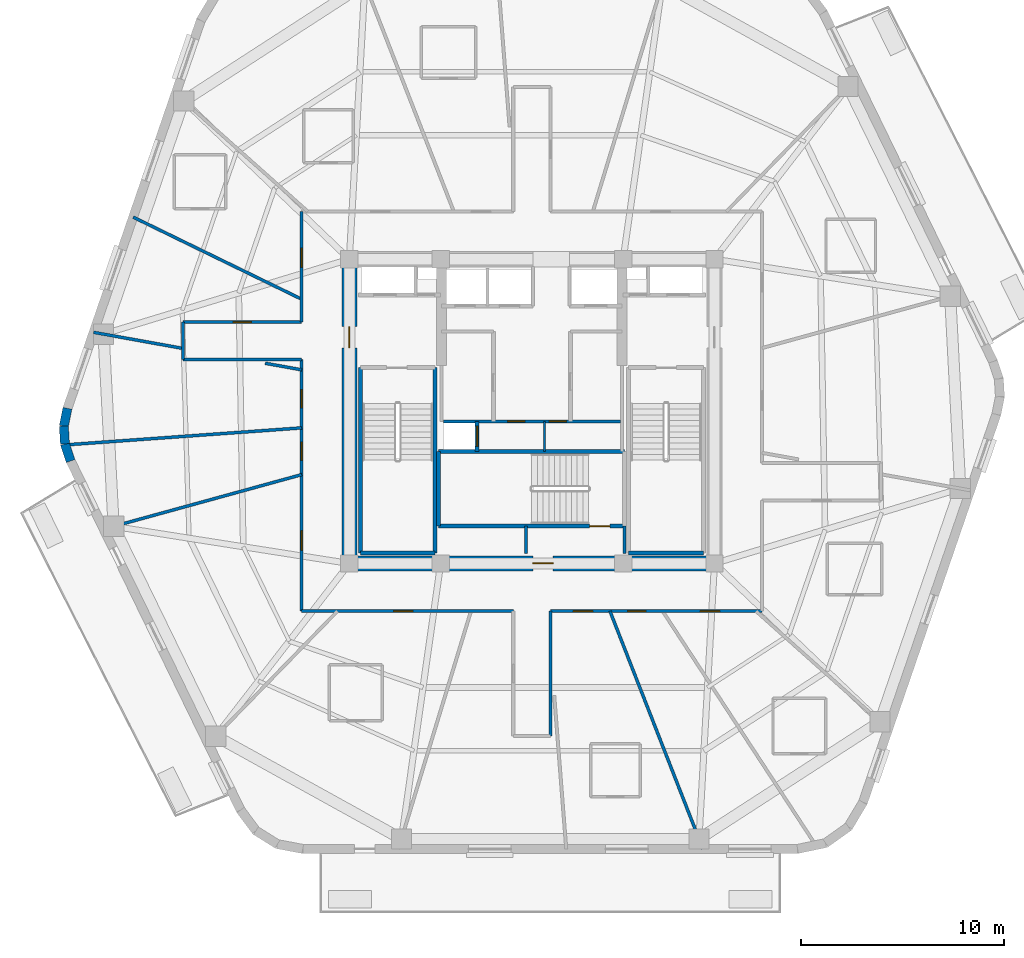
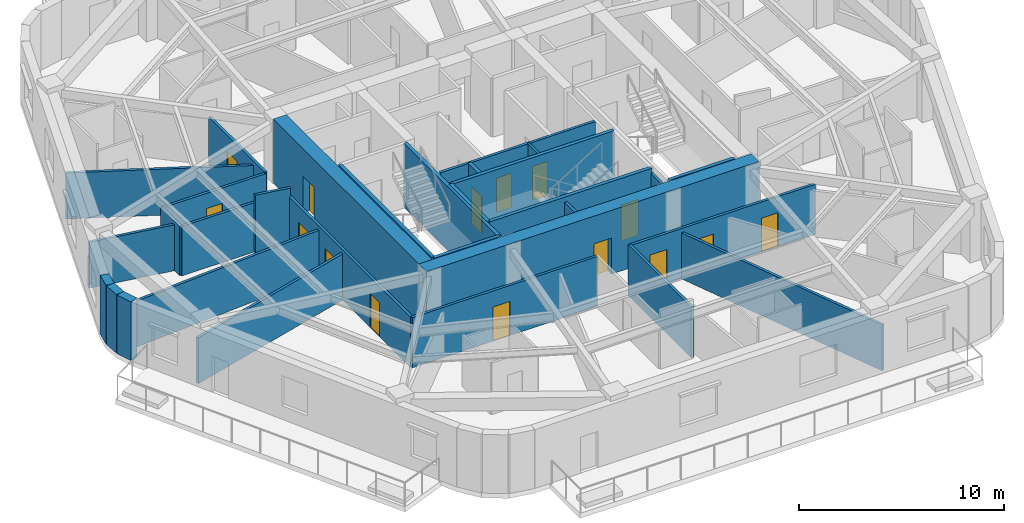
# One storey, part 3 of 10: 31 walls, 15 doors, 15 openings.
"""IFC4 building model written with IfcOpenShell, lengths in metres."""

from ifc_helpers import new_model, si_unit, direction, frame, frame_2d, origin, place, context, subcontext, project, spatial, rectangle, extrude, material, layer, layer_set, type_object, element, fill, save


model = new_model("IFC4")

# Units and contexts
model_context = context("Model", 3, precision=1e-05, world=origin(), true_north=direction((0.0, 1.0)))
body_context = subcontext(model_context, "Body", "Model", "MODEL_VIEW")
ifc_project = project(units=[si_unit("LENGTHUNIT", "METRE"), si_unit("AREAUNIT", "SQUARE_METRE"), si_unit("VOLUMEUNIT", "CUBIC_METRE"), si_unit("PLANEANGLEUNIT", "RADIAN"), si_unit("MASSUNIT", "GRAM", prefix="KILO")], contexts=[model_context])

# Site, building, storey
site_placement = place(None, origin())
site = spatial("IfcSite", under=ifc_project, at=site_placement, CompositionType="ELEMENT")
building_placement = place(site_placement, origin())
building = spatial("IfcBuilding", under=site, at=building_placement, Name="Kilnhurst Terrace Hotel", CompositionType="ELEMENT")
storey_placement = place(building_placement, frame((0.0, 0.0, 210.300048828125)))
storey = spatial("IfcBuildingStorey", under=building, at=storey_placement, Name="L52", CompositionType="ELEMENT", Elevation=210.300048828125)

# Walls
ifc_material_1 = material(Name="Precast concrete C40/50", Category="concrete")
ifc_layer_1 = layer(ifc_material_1, 0.449951171875, Name="Precast concrete C40/50")
ifc_layer_set_1 = layer_set([ifc_layer_1], Name="Precast concrete C40/50")
wall_type_1 = type_object("IfcWallType", Name="WL-BRK-450", PredefinedType="SOLIDWALL", material=ifc_layer_set_1)
wall_1_placement = place(storey_placement, frame((-22.8984375, 0.149658203125, 0.0), z_axis=(0.0, 0.0, 1.0), x_axis=(-0.199055826889, -0.979988151858, 0.0)))
element("IfcWall", 1, at=wall_1_placement, inside=storey, type_object=wall_type_1, Name="L52 Rounded Corner Brick Wall C6.1", PredefinedType="SOLIDWALL", context=body_context, shape_type="SweptSolid", body=[
    extrude(rectangle(XDim=0.89404296875, YDim=0.449951171875, at=frame_2d((0.447021484375, 0.0))), origin(), (0.0, 0.0, 1.0), 3.5),
])
wall_2_placement = place(storey_placement, frame((-23.076416015625, -0.7265625, 0.0), z_axis=(0.0, 0.0, 1.0), x_axis=(0.060805222108, -0.998149650586, 0.0)))
element("IfcWall", 2, at=wall_2_placement, inside=storey, type_object=wall_type_1, Name="L52 Rounded Corner Brick Wall C6.2", PredefinedType="SOLIDWALL", context=body_context, shape_type="SweptSolid", body=[
    extrude(rectangle(XDim=0.87939453125, YDim=0.449951171875, at=frame_2d((0.439697265625, 0.0))), origin(), (0.0, 0.0, 1.0), 3.5),
])
wall_3_placement = place(storey_placement, frame((-23.02294921875, -1.604248046875, 0.0), z_axis=(0.0, 0.0, 1.0), x_axis=(0.316801227695, -0.948491951537, 0.0)))
element("IfcWall", 3, at=wall_3_placement, inside=storey, type_object=wall_type_1, Name="L52 Rounded Corner Brick Wall C6.3", PredefinedType="SOLIDWALL", context=body_context, shape_type="SweptSolid", body=[
    extrude(rectangle(XDim=0.89404296875, YDim=0.449951171875, at=frame_2d((0.447021484375, 0.0))), origin(), (0.0, 0.0, 1.0), 3.5),
])

# Wall, openings, doors
ifc_material_2 = material(Name="Acoustic Double-Gypsum Corridor Partition Assembly")
ifc_layer_2 = layer(ifc_material_2, 0.14990234375, Name="Acoustic Double-Gypsum Corridor Partition Assembly")
ifc_layer_set_2 = layer_set([ifc_layer_2], Name="Acoustic Double-Gypsum Corridor Partition Assembly")
wall_type_2 = type_object("IfcWallType", Name="WL-COR-150", PredefinedType="PARTITIONING", material=ifc_layer_set_2)
wall_4_placement = place(storey_placement, frame((-11.35009765625, -9.85009765625, 0.0), z_axis=(0.0, 0.0, 1.0), x_axis=(0.0, 1.0, 0.0)))
wall_4 = element("IfcWall", 4, at=wall_4_placement, inside=storey, type_object=wall_type_2, Name="L52 Interior Wall WL-L52-COR-01", PredefinedType="PARTITIONING", context=body_context, shape_type="SweptSolid", body=[
    extrude(rectangle(XDim=12.400146484375, YDim=0.14990234375, at=frame_2d((6.2001953125, 0.0))), origin(), (0.0, 0.0, 1.0), 2.989990234375),
])
opening_1_placement = place(wall_4_placement, frame((10.01708984375, 0.0, 0.0)))
opening_1 = element("IfcOpeningElement", 5, at=opening_1_placement, cuts=wall_4, Name="Opening D-60C", PredefinedType="OPENING", context=body_context, shape_type="SweptSolid", body=[
    extrude(rectangle(XDim=0.89990234375, YDim=2.030029296875, at=frame_2d((0.449951171875, 1.01513671875))), frame((0.0, 0.0849609375, 0.0), z_axis=(0.0, -1.0, 0.0), x_axis=(1.0, 0.0, 0.0)), (0.0, 0.0, 1.0), 0.169921875),
])
opening_2_placement = place(wall_4_placement, frame((7.427001953125, 0.0, 0.0)))
opening_2 = element("IfcOpeningElement", 6, at=opening_2_placement, cuts=wall_4, Name="Opening D-60C", PredefinedType="OPENING", context=body_context, shape_type="SweptSolid", body=[
    extrude(rectangle(XDim=0.89990234375, YDim=2.030029296875, at=frame_2d((0.449951171875, 1.01513671875))), frame((0.0, 0.0849609375, 0.0), z_axis=(0.0, -1.0, 0.0), x_axis=(1.0, 0.0, 0.0)), (0.0, 0.0, 1.0), 0.169921875),
])
opening_3_placement = place(wall_4_placement, frame((3.010009765625, 0.0, 0.0)))
opening_3 = element("IfcOpeningElement", 7, at=opening_3_placement, cuts=wall_4, Name="Opening D-60B", PredefinedType="OPENING", context=body_context, shape_type="SweptSolid", body=[
    extrude(rectangle(XDim=0.949951171875, YDim=2.030029296875, at=frame_2d((0.47509765625, 1.01513671875))), frame((0.0, 0.0849609375, 0.0), z_axis=(0.0, -1.0, 0.0), x_axis=(1.0, 0.0, 0.0)), (0.0, 0.0, 1.0), 0.169921875),
])
ifc_material_3 = material(Name="Painted Solid-Core Service Fire Door")
door_type_1 = type_object("IfcDoorType", Name="DR-FD60-900", OperationType="NOTDEFINED", PredefinedType="DOOR", material=ifc_material_3)
door_1_placement = place(opening_1_placement, origin())
door_1 = element("IfcDoor", 8, at=door_1_placement, inside=storey, type_object=door_type_1, Name="L52 Botanical Reading Lounge Door 8", OperationType="SINGLE_SWING_RIGHT", OverallHeight=2.030029296875, OverallWidth=0.89990234375, PredefinedType="DOOR", context=body_context, shape_type="SweptSolid", body=[
    extrude(rectangle(XDim=0.89990234375, YDim=2.030029296875, at=frame_2d((0.449951171875, 1.01513671875))), frame((0.0, 0.02490234375, 0.0), z_axis=(0.0, -1.0, 0.0), x_axis=(1.0, 0.0, 0.0)), (0.0, 0.0, 1.0), 0.050048828125),
])
fill(opening_1, door_1)
door_2_placement = place(opening_2_placement, origin())
door_2 = element("IfcDoor", 9, at=door_2_placement, inside=storey, type_object=door_type_1, Name="L52 Private Meeting Salon Door 9", OperationType="SINGLE_SWING_LEFT", OverallHeight=2.030029296875, OverallWidth=0.89990234375, PredefinedType="DOOR", context=body_context, shape_type="SweptSolid", body=[
    extrude(rectangle(XDim=0.89990234375, YDim=2.030029296875, at=frame_2d((0.449951171875, 1.01513671875))), frame((0.0, 0.02490234375, 0.0), z_axis=(0.0, -1.0, 0.0), x_axis=(1.0, 0.0, 0.0)), (0.0, 0.0, 1.0), 0.050048828125),
])
fill(opening_2, door_2)
ifc_material_4 = material(Name="Acoustic Walnut Veneer Solid-Core Fire Door")
door_type_2 = type_object("IfcDoorType", Name="DR-FD60-950", OperationType="NOTDEFINED", PredefinedType="DOOR", material=ifc_material_4)
door_3_placement = place(opening_3_placement, origin())
door_3 = element("IfcDoor", 10, at=door_3_placement, inside=storey, type_object=door_type_2, Name="L52 Wellness Treatment Suite Door", OperationType="SINGLE_SWING_RIGHT", OverallHeight=2.030029296875, OverallWidth=0.949951171875, PredefinedType="DOOR", context=body_context, shape_type="SweptSolid", body=[
    extrude(rectangle(XDim=0.949951171875, YDim=2.030029296875, at=frame_2d((0.47509765625, 1.01513671875))), frame((0.0, 0.02490234375, 0.0), z_axis=(0.0, -1.0, 0.0), x_axis=(1.0, 0.0, 0.0)), (0.0, 0.0, 1.0), 0.050048828125),
])
fill(opening_3, door_3)

# Walls
wall_5_placement = place(storey_placement, frame((-11.35009765625, 2.550048828125, 0.0), z_axis=(0.0, 0.0, 1.0), x_axis=(-1.0, 0.0, 0.0)))
element("IfcWall", 11, at=wall_5_placement, inside=storey, type_object=wall_type_2, Name="L52 Interior Wall WL-L52-COR-02", PredefinedType="PARTITIONING", context=body_context, shape_type="SweptSolid", body=[
    extrude(rectangle(XDim=5.849853515625, YDim=0.14990234375, at=frame_2d((2.9248046875, 0.0))), origin(), (0.0, 0.0, 1.0), 2.9404296875),
])
wall_6_placement = place(storey_placement, frame((-17.199951171875, 2.550048828125, 0.0), z_axis=(0.0, 0.0, 1.0), x_axis=(0.0, 1.0, 0.0)))
element("IfcWall", 12, at=wall_6_placement, inside=storey, type_object=wall_type_2, Name="L52 Interior Wall WL-L52-COR-03", PredefinedType="PARTITIONING", context=body_context, shape_type="SweptSolid", body=[
    extrude(rectangle(XDim=1.849853515625, YDim=0.14990234375, at=frame_2d((0.9248046875, 0.0))), origin(), (0.0, 0.0, 1.0), 2.9404296875),
])

# Wall, opening, door
wall_7_placement = place(storey_placement, frame((-17.199951171875, 4.39990234375, 0.0), z_axis=(0.0, 0.0, 1.0), x_axis=(1.0, 0.0, 0.0)))
wall_7 = element("IfcWall", 13, at=wall_7_placement, inside=storey, type_object=wall_type_2, Name="L52 Interior Wall WL-L52-COR-04", PredefinedType="PARTITIONING", context=body_context, shape_type="SweptSolid", body=[
    extrude(rectangle(XDim=5.849853515625, YDim=0.14990234375, at=frame_2d((2.9248046875, 0.0))), origin(), (0.0, 0.0, 1.0), 2.9404296875),
])
opening_4_placement = place(wall_7_placement, frame((2.47509765625, 0.0, 0.0)))
opening_4 = element("IfcOpeningElement", 14, at=opening_4_placement, cuts=wall_7, Name="Opening D-60C", PredefinedType="OPENING", context=body_context, shape_type="SweptSolid", body=[
    extrude(rectangle(XDim=0.89990234375, YDim=2.030029296875, at=frame_2d((0.449951171875, 1.01513671875))), frame((0.0, 0.0849609375, 0.0), z_axis=(0.0, -1.0, 0.0), x_axis=(1.0, 0.0, 0.0)), (0.0, 0.0, 1.0), 0.169921875),
])
door_4_placement = place(opening_4_placement, origin())
door_4 = element("IfcDoor", 15, at=door_4_placement, inside=storey, type_object=door_type_1, Name="L52 Executive Work Office Door 7", OperationType="SINGLE_SWING_LEFT", OverallHeight=2.030029296875, OverallWidth=0.89990234375, PredefinedType="DOOR", context=body_context, shape_type="SweptSolid", body=[
    extrude(rectangle(XDim=0.89990234375, YDim=2.030029296875, at=frame_2d((0.449951171875, 1.01513671875))), frame((0.0, 0.02490234375, 0.0), z_axis=(0.0, -1.0, 0.0), x_axis=(1.0, 0.0, 0.0)), (0.0, 0.0, 1.0), 0.050048828125),
])
fill(opening_4, door_4)

wall_8_placement = place(storey_placement, frame((-11.35009765625, 4.39990234375, 0.0), z_axis=(0.0, 0.0, 1.0), x_axis=(0.0, 1.0, 0.0)))
wall_8 = element("IfcWall", 16, at=wall_8_placement, inside=storey, type_object=wall_type_2, Name="L52 Interior Wall WL-L52-COR-05", PredefinedType="PARTITIONING", context=body_context, shape_type="SweptSolid", body=[
    extrude(rectangle(XDim=5.4501953125, YDim=0.14990234375, at=frame_2d((2.72509765625, 0.0))), origin(), (0.0, 0.0, 1.0), 2.989990234375),
])
opening_5_placement = place(wall_8_placement, frame((2.694091796875, 0.0, 0.0)))
opening_5 = element("IfcOpeningElement", 17, at=opening_5_placement, cuts=wall_8, Name="Opening D-60B", PredefinedType="OPENING", context=body_context, shape_type="SweptSolid", body=[
    extrude(rectangle(XDim=0.949951171875, YDim=2.030029296875, at=frame_2d((0.47509765625, 1.01513671875))), frame((0.0, 0.0849609375, 0.0), z_axis=(0.0, -1.0, 0.0), x_axis=(1.0, 0.0, 0.0)), (0.0, 0.0, 1.0), 0.169921875),
])
door_5_placement = place(opening_5_placement, origin())
door_5 = element("IfcDoor", 18, at=door_5_placement, inside=storey, type_object=door_type_2, Name="L52 Guest Room Entry Door 6", OperationType="SINGLE_SWING_RIGHT", OverallHeight=2.030029296875, OverallWidth=0.949951171875, PredefinedType="DOOR", context=body_context, shape_type="SweptSolid", body=[
    extrude(rectangle(XDim=0.949951171875, YDim=2.030029296875, at=frame_2d((0.47509765625, 1.01513671875))), frame((0.0, 0.02490234375, 0.0), z_axis=(0.0, -1.0, 0.0), x_axis=(1.0, 0.0, 0.0)), (0.0, 0.0, 1.0), 0.050048828125),
])
fill(opening_5, door_5)

# Wall, openings, doors
wall_9_placement = place(storey_placement, frame((11.35009765625, -9.85009765625, 0.0), z_axis=(0.0, 0.0, 1.0), x_axis=(-1.0, 0.0, 0.0)))
wall_9 = element("IfcWall", 19, at=wall_9_placement, inside=storey, type_object=wall_type_2, Name="L52 Interior Wall WL-L52-COR-16", PredefinedType="PARTITIONING", context=body_context, shape_type="SweptSolid", body=[
    extrude(rectangle(XDim=10.43017578125, YDim=0.14990234375, at=frame_2d((5.215087890625, 0.0))), origin(), (0.0, 0.0, 1.0), 2.989990234375),
])
opening_6_placement = place(wall_9_placement, frame((8.362060546875, 0.0, 0.0)))
opening_6 = element("IfcOpeningElement", 20, at=opening_6_placement, cuts=wall_9, Name="Opening D-60B", PredefinedType="OPENING", context=body_context, shape_type="SweptSolid", body=[
    extrude(rectangle(XDim=0.949951171875, YDim=2.030029296875, at=frame_2d((0.47509765625, 1.01513671875))), frame((0.0, 0.0849609375, 0.0), z_axis=(0.0, -1.0, 0.0), x_axis=(1.0, 0.0, 0.0)), (0.0, 0.0, 1.0), 0.169921875),
])
opening_7_placement = place(wall_9_placement, frame((5.72998046875, 0.0, 0.0)))
opening_7 = element("IfcOpeningElement", 21, at=opening_7_placement, cuts=wall_9, Name="Opening D-60C", PredefinedType="OPENING", context=body_context, shape_type="SweptSolid", body=[
    extrude(rectangle(XDim=0.89990234375, YDim=2.030029296875, at=frame_2d((0.449951171875, 1.01513671875))), frame((0.0, 0.0849609375, 0.0), z_axis=(0.0, -1.0, 0.0), x_axis=(1.0, 0.0, 0.0)), (0.0, 0.0, 1.0), 0.169921875),
])
opening_8_placement = place(wall_9_placement, frame((2.097900390625, 0.0, 0.0)))
opening_8 = element("IfcOpeningElement", 22, at=opening_8_placement, cuts=wall_9, Name="Opening D-60B", PredefinedType="OPENING", context=body_context, shape_type="SweptSolid", body=[
    extrude(rectangle(XDim=0.949951171875, YDim=2.030029296875, at=frame_2d((0.47509765625, 1.01513671875))), frame((0.0, 0.0849609375, 0.0), z_axis=(0.0, -1.0, 0.0), x_axis=(1.0, 0.0, 0.0)), (0.0, 0.0, 1.0), 0.169921875),
])
door_6_placement = place(opening_7_placement, origin())
door_6 = element("IfcDoor", 23, at=door_6_placement, inside=storey, type_object=door_type_1, Name="L52 Private Tasting Dining Room Door 14", OperationType="SINGLE_SWING_RIGHT", OverallHeight=2.030029296875, OverallWidth=0.89990234375, PredefinedType="DOOR", context=body_context, shape_type="SweptSolid", body=[
    extrude(rectangle(XDim=0.89990234375, YDim=2.030029296875, at=frame_2d((0.449951171875, 1.01513671875))), frame((0.0, 0.02490234375, 0.0), z_axis=(0.0, -1.0, 0.0), x_axis=(1.0, 0.0, 0.0)), (0.0, 0.0, 1.0), 0.050048828125),
])
fill(opening_7, door_6)
door_7_placement = place(opening_6_placement, origin())
door_7 = element("IfcDoor", 24, at=door_7_placement, inside=storey, type_object=door_type_2, Name="L52 Guest Room Entry Door 13", OperationType="SINGLE_SWING_LEFT", OverallHeight=2.030029296875, OverallWidth=0.949951171875, PredefinedType="DOOR", context=body_context, shape_type="SweptSolid", body=[
    extrude(rectangle(XDim=0.949951171875, YDim=2.030029296875, at=frame_2d((0.47509765625, 1.01513671875))), frame((0.0, 0.02490234375, 0.0), z_axis=(0.0, -1.0, 0.0), x_axis=(1.0, 0.0, 0.0)), (0.0, 0.0, 1.0), 0.050048828125),
])
fill(opening_6, door_7)
door_8_placement = place(opening_8_placement, origin())
door_8 = element("IfcDoor", 25, at=door_8_placement, inside=storey, type_object=door_type_2, Name="L52 Guest Room Entry Door 15", OperationType="SINGLE_SWING_LEFT", OverallHeight=2.030029296875, OverallWidth=0.949951171875, PredefinedType="DOOR", context=body_context, shape_type="SweptSolid", body=[
    extrude(rectangle(XDim=0.949951171875, YDim=2.030029296875, at=frame_2d((0.47509765625, 1.01513671875))), frame((0.0, 0.02490234375, 0.0), z_axis=(0.0, -1.0, 0.0), x_axis=(1.0, 0.0, 0.0)), (0.0, 0.0, 1.0), 0.050048828125),
])
fill(opening_8, door_8)

# Wall
wall_10_placement = place(storey_placement, frame((0.919921875, -9.85009765625, 0.0), z_axis=(0.0, 0.0, 1.0), x_axis=(0.0, -1.0, 0.0)))
element("IfcWall", 26, at=wall_10_placement, inside=storey, type_object=wall_type_2, Name="L52 Interior Wall WL-L52-COR-17", PredefinedType="PARTITIONING", context=body_context, shape_type="SweptSolid", body=[
    extrude(rectangle(XDim=6.14990234375, YDim=0.14990234375, at=frame_2d((3.074951171875, 0.0))), origin(), (0.0, 0.0, 1.0), 3.0263671875),
])

# Wall, opening, door
wall_11_placement = place(storey_placement, frame((-0.919921875, -9.85009765625, 0.0), z_axis=(0.0, 0.0, 1.0), x_axis=(-1.0, 0.0, 0.0)))
wall_11 = element("IfcWall", 27, at=wall_11_placement, inside=storey, type_object=wall_type_2, Name="L52 Interior Wall WL-L52-COR-20", PredefinedType="PARTITIONING", context=body_context, shape_type="SweptSolid", body=[
    extrude(rectangle(XDim=10.43017578125, YDim=0.14990234375, at=frame_2d((5.215087890625, 0.0))), origin(), (0.0, 0.0, 1.0), 2.989990234375),
])
opening_9_placement = place(wall_11_placement, frame((4.948974609375, 0.0, 0.0)))
opening_9 = element("IfcOpeningElement", 28, at=opening_9_placement, cuts=wall_11, Name="Opening D-60B", PredefinedType="OPENING", context=body_context, shape_type="SweptSolid", body=[
    extrude(rectangle(XDim=0.949951171875, YDim=2.030029296875, at=frame_2d((0.47509765625, 1.01513671875))), frame((0.0, 0.0849609375, 0.0), z_axis=(0.0, -1.0, 0.0), x_axis=(1.0, 0.0, 0.0)), (0.0, 0.0, 1.0), 0.169921875),
])
door_9_placement = place(opening_9_placement, origin())
door_9 = element("IfcDoor", 29, at=door_9_placement, inside=storey, type_object=door_type_2, Name="L52 Executive Suite Entry Door 11", OperationType="SINGLE_SWING_LEFT", OverallHeight=2.030029296875, OverallWidth=0.949951171875, PredefinedType="DOOR", context=body_context, shape_type="SweptSolid", body=[
    extrude(rectangle(XDim=0.949951171875, YDim=2.030029296875, at=frame_2d((0.47509765625, 1.01513671875))), frame((0.0, 0.02490234375, 0.0), z_axis=(0.0, -1.0, 0.0), x_axis=(1.0, 0.0, 0.0)), (0.0, 0.0, 1.0), 0.050048828125),
])
fill(opening_9, door_9)

ifc_material_5 = material(Name="Concrete C60/75", Category="concrete")
ifc_layer_3 = layer(ifc_material_5, 0.75, Name="Concrete C60/75")
ifc_layer_set_3 = layer_set([ifc_layer_3], Name="Concrete C60/75")
wall_type_3 = type_object("IfcWallType", Name="WL-CORE-750", PredefinedType="SHEAR", material=ifc_layer_set_3)
wall_12_placement = place(storey_placement, frame((-9.375, -7.5, 0.0), z_axis=(0.0, 0.0, 1.0), x_axis=(1.0, 0.0, 0.0)))
wall_12 = element("IfcWall", 30, at=wall_12_placement, inside=storey, type_object=wall_type_3, Name="L52 Core South Shear Wall", PredefinedType="SHEAR", context=body_context, shape_type="SweptSolid", body=[
    extrude(rectangle(XDim=18.75, YDim=0.75, at=frame_2d((9.375, 0.0))), origin(), (0.0, 0.0, 1.0), 3.800048828125),
])
opening_10_placement = place(wall_12_placement, frame((9.425048828125, 0.0, 0.0)))
opening_10 = element("IfcOpeningElement", 31, at=opening_10_placement, cuts=wall_12, Name="Opening D-90B", PredefinedType="OPENING", context=body_context, shape_type="SweptSolid", body=[
    extrude(rectangle(XDim=1.0, YDim=2.14990234375, at=frame_2d((0.5, 1.074951171875))), frame((0.0, 0.385009765625, 0.0), z_axis=(0.0, -1.0, 0.0), x_axis=(1.0, 0.0, 0.0)), (0.0, 0.0, 1.0), 0.77001953125),
])
ifc_material_6 = material(Name="Painted Hollow Metal Steel ASTM A36 Fire Door", Category="steel")
door_type_3 = type_object("IfcDoorType", Name="DR-FD90-1000", OperationType="NOTDEFINED", PredefinedType="DOOR", material=ifc_material_6)
door_10_placement = place(opening_10_placement, origin())
door_10 = element("IfcDoor", 32, at=door_10_placement, inside=storey, type_object=door_type_3, Name="L52 Stair ST-3 Corridor Door", OperationType="SINGLE_SWING_RIGHT", OverallHeight=2.14990234375, OverallWidth=1.0, PredefinedType="DOOR", context=body_context, shape_type="SweptSolid", body=[
    extrude(rectangle(XDim=1.0, YDim=2.14990234375, at=frame_2d((0.5, 1.074951171875))), frame((0.0, 0.02490234375, 0.0), z_axis=(0.0, -1.0, 0.0), x_axis=(1.0, 0.0, 0.0)), (0.0, 0.0, 1.0), 0.050048828125),
])
fill(opening_10, door_10)

wall_13_placement = place(storey_placement, frame((-9.0, -7.125, 0.0), z_axis=(0.0, 0.0, 1.0), x_axis=(0.0, 1.0, 0.0)))
wall_13 = element("IfcWall", 33, at=wall_13_placement, inside=storey, type_object=wall_type_3, Name="L52 Core West Shear Wall", PredefinedType="SHEAR", context=body_context, shape_type="SweptSolid", body=[
    extrude(rectangle(XDim=14.25, YDim=0.75, at=frame_2d((7.125, 0.0))), origin(), (0.0, 0.0, 1.0), 3.800048828125),
])
opening_11_placement = place(wall_13_placement, frame((10.25, 0.0, 0.0)))
opening_11 = element("IfcOpeningElement", 34, at=opening_11_placement, cuts=wall_13, Name="Opening D-90A", PredefinedType="OPENING", context=body_context, shape_type="SweptSolid", body=[
    extrude(rectangle(XDim=1.050048828125, YDim=2.14990234375, at=frame_2d((0.52490234375, 1.074951171875))), frame((0.0, 0.385009765625, 0.0), z_axis=(0.0, -1.0, 0.0), x_axis=(1.0, 0.0, 0.0)), (0.0, 0.0, 1.0), 0.77001953125),
])
door_type_4 = type_object("IfcDoorType", Name="DR-FD90-1050", OperationType="NOTDEFINED", PredefinedType="DOOR", material=ifc_material_6)
door_11_placement = place(opening_11_placement, origin())
door_11 = element("IfcDoor", 35, at=door_11_placement, inside=storey, type_object=door_type_4, Name="L52 West Firefighting Lobby Door", OperationType="SINGLE_SWING_RIGHT", OverallHeight=2.14990234375, OverallWidth=1.050048828125, PredefinedType="DOOR", context=body_context, shape_type="SweptSolid", body=[
    extrude(rectangle(XDim=1.050048828125, YDim=2.14990234375, at=frame_2d((0.52490234375, 1.074951171875))), frame((0.0, 0.02490234375, 0.0), z_axis=(0.0, -1.0, 0.0), x_axis=(1.0, 0.0, 0.0)), (0.0, 0.0, 1.0), 0.050048828125),
])
fill(opening_11, door_11)

# Walls
ifc_material_7 = material(Name="STC-58 Acoustic Twin-Frame Guestroom Demising Partition")
ifc_layer_4 = layer(ifc_material_7, 0.14990234375, Name="STC-58 Acoustic Twin-Frame Guestroom Demising Partition")
ifc_layer_set_4 = layer_set([ifc_layer_4], Name="STC-58 Acoustic Twin-Frame Guestroom Demising Partition")
wall_type_4 = type_object("IfcWallType", Name="WL-DEM-150", PredefinedType="PARTITIONING", material=ifc_layer_set_4)
wall_14_placement = place(storey_placement, frame((-11.35009765625, 5.528076171875, 0.0), z_axis=(0.0, 0.0, 1.0), x_axis=(-0.899038669565, 0.437869239188, 0.0)))
element("IfcWall", 36, at=wall_14_placement, inside=storey, type_object=wall_type_4, Name="L52 Interior Wall WL-L52-DEM-MID05-07-1", PredefinedType="PARTITIONING", context=body_context, shape_type="SweptSolid", body=[
    extrude(rectangle(XDim=9.24169921875, YDim=0.14990234375, at=frame_2d((4.620849609375, 0.0))), origin(), (0.0, 0.0, 1.0), 2.739990234375),
])
wall_15_placement = place(storey_placement, frame((-11.35009765625, 2.046142578125, 0.0), z_axis=(0.0, 0.0, 1.0), x_axis=(-0.984127783205, 0.177461281195, 0.0)))
element("IfcWall", 37, at=wall_15_placement, inside=storey, type_object=wall_type_4, Name="L52 Interior Wall WL-L52-DEM-COL06-08-1", PredefinedType="PARTITIONING", context=body_context, shape_type="SweptSolid", body=[
    extrude(rectangle(XDim=1.82568359375, YDim=0.14990234375, at=frame_2d((0.912841796875, 0.0))), origin(), (0.0, 0.0, 1.0), 3.5),
])
wall_16_placement = place(storey_placement, frame((-17.199951171875, 3.1005859375, 0.0), z_axis=(0.0, 0.0, 1.0), x_axis=(-0.98413465883, 0.177423147559, 0.0)))
element("IfcWall", 38, at=wall_16_placement, inside=storey, type_object=wall_type_4, Name="L52 Interior Wall WL-L52-DEM-COL06-08-2", PredefinedType="PARTITIONING", context=body_context, shape_type="SweptSolid", body=[
    extrude(rectangle(XDim=4.481689453125, YDim=0.14990234375, at=frame_2d((2.24072265625, 0.0))), origin(), (0.0, 0.0, 1.0), 2.739990234375),
])
wall_17_placement = place(storey_placement, frame((-11.35009765625, -0.816162109375, 0.0), z_axis=(0.0, 0.0, 1.0), x_axis=(-0.997425460629, -0.071710881252, 0.0)))
element("IfcWall", 39, at=wall_17_placement, inside=storey, type_object=wall_type_4, Name="L52 Interior Wall WL-L52-DEM-MID06-09-1", PredefinedType="PARTITIONING", context=body_context, shape_type="SweptSolid", body=[
    extrude(rectangle(XDim=11.520751953125, YDim=0.14990234375, at=frame_2d((5.76025390625, 0.0))), origin(), (0.0, 0.0, 1.0), 2.739990234375),
])
wall_18_placement = place(storey_placement, frame((-11.35009765625, -3.12060546875, 0.0), z_axis=(0.0, 0.0, 1.0), x_axis=(-0.964212793822, -0.265129568758, 0.0)))
element("IfcWall", 40, at=wall_18_placement, inside=storey, type_object=wall_type_4, Name="L52 Interior Wall WL-L52-DEM-COL07-10-1", PredefinedType="PARTITIONING", context=body_context, shape_type="SweptSolid", body=[
    extrude(rectangle(XDim=10.119873046875, YDim=0.14990234375, at=frame_2d((5.06005859375, 0.0))), origin(), (0.0, 0.0, 1.0), 2.739990234375),
])
wall_19_placement = place(storey_placement, frame((3.848388671875, -9.85009765625, 0.0), z_axis=(0.0, 0.0, 1.0), x_axis=(0.363921778212, -0.931429513889, 0.0)))
element("IfcWall", 41, at=wall_19_placement, inside=storey, type_object=wall_type_4, Name="L52 Interior Wall WL-L52-DEM-COL10-14-1", PredefinedType="PARTITIONING", context=body_context, shape_type="SweptSolid", body=[
    extrude(rectangle(XDim=12.588134765625, YDim=0.14990234375, at=frame_2d((6.2939453125, 0.0))), origin(), (0.0, 0.0, 1.0), 2.739990234375),
])
ifc_material_8 = material(Name="120 mm Moisture-Resistant Tile-Backed Bathroom Partition")
ifc_layer_5 = layer(ifc_material_8, 0.1201171875, Name="120 mm Moisture-Resistant Tile-Backed Bathroom Partition")
ifc_layer_set_5 = layer_set([ifc_layer_5], Name="120 mm Moisture-Resistant Tile-Backed Bathroom Partition")
wall_type_5 = type_object("IfcWallType", Name="WL-PART-120", PredefinedType="PARTITIONING", material=ifc_layer_set_5)
wall_20_placement = place(storey_placement, frame((0.6201171875, -1.971923828125, 0.0), z_axis=(0.0, 0.0, 1.0), x_axis=(0.0, 1.0, 0.0)))
element("IfcWall", 42, at=wall_20_placement, inside=storey, type_object=wall_type_5, Name="L52 Interior Wall WL-L52-BOH-C1", PredefinedType="PARTITIONING", context=body_context, shape_type="SweptSolid", body=[
    extrude(rectangle(XDim=1.471923828125, YDim=0.1201171875, at=frame_2d((0.73583984375, 0.0))), origin(), (0.0, 0.0, 1.0), 3.5),
])
ifc_material_9 = material(Name="Fire-Rated Gypsum Shaftliner Assembly")
ifc_layer_6 = layer(ifc_material_9, 0.14990234375, Name="Fire-Rated Gypsum Shaftliner Assembly")
ifc_layer_set_6 = layer_set([ifc_layer_6], Name="Fire-Rated Gypsum Shaftliner Assembly")
wall_type_6 = type_object("IfcWallType", Name="WL-SHAFT-150", PredefinedType="PARTITIONING", material=ifc_layer_set_6)
for number, where, z_axis, x_axis, name in (
    (43, (-0.300048828125, -7.02001953125, 0.0), (0.0, 0.0, 1.0), (0.0, 1.0, 0.0), "L52 Interior Wall WL-L52-ST3-PSGW"),
    (44, (4.55810546875, -7.02001953125, 0.0), (0.0, 0.0, 1.0), (0.0, 1.0, 0.0), "L52 Interior Wall WL-L52-ST3-PSGE"),
):
    element("IfcWall", number, at=place(storey_placement, frame(where, z_axis=z_axis, x_axis=x_axis)), inside=storey, type_object=wall_type_6, Name=name, PredefinedType="PARTITIONING", context=body_context, shape_type="SweptSolid", body=[
        extrude(rectangle(XDim=1.362060546875, YDim=0.14990234375, at=frame_2d((0.68115234375, 0.0))), origin(), (0.0, 0.0, 1.0), 3.5),
    ])

# Wall, openings, doors
wall_21_placement = place(storey_placement, frame((-4.360107421875, -0.489990234375, 0.0), z_axis=(0.0, 0.0, 1.0), x_axis=(1.0, 0.0, 0.0)))
wall_21 = element("IfcWall", 45, at=wall_21_placement, inside=storey, type_object=wall_type_6, Name="L52 Interior Wall WL-L52-BOH-N", PredefinedType="PARTITIONING", context=body_context, shape_type="SweptSolid", body=[
    extrude(rectangle(XDim=8.72021484375, YDim=0.14990234375, at=frame_2d((4.360107421875, 0.0))), origin(), (0.0, 0.0, 1.0), 3.5),
])
opening_12_placement = place(wall_21_placement, frame((3.159912109375, 0.0, 0.0)))
opening_12 = element("IfcOpeningElement", 46, at=opening_12_placement, cuts=wall_21, Name="Opening D-60D", PredefinedType="OPENING", context=body_context, shape_type="SweptSolid", body=[
    extrude(rectangle(XDim=0.85009765625, YDim=2.030029296875, at=frame_2d((0.425048828125, 1.01513671875))), frame((0.0, 0.0849609375, 0.0), z_axis=(0.0, -1.0, 0.0), x_axis=(1.0, 0.0, 0.0)), (0.0, 0.0, 1.0), 0.169921875),
])
opening_13_placement = place(wall_21_placement, frame((5.2099609375, 0.0, 0.0)))
opening_13 = element("IfcOpeningElement", 47, at=opening_13_placement, cuts=wall_21, Name="Opening D-60D", PredefinedType="OPENING", context=body_context, shape_type="SweptSolid", body=[
    extrude(rectangle(XDim=0.85009765625, YDim=2.030029296875, at=frame_2d((0.425048828125, 1.01513671875))), frame((0.0, 0.0849609375, 0.0), z_axis=(0.0, -1.0, 0.0), x_axis=(1.0, 0.0, 0.0)), (0.0, 0.0, 1.0), 0.169921875),
])
ifc_material_10 = material(Name="Painted Hollow Metal Steel ASTM A36 Riser Door", Category="steel")
door_type_5 = type_object("IfcDoorType", Name="DR-FD60-850", OperationType="NOTDEFINED", PredefinedType="DOOR", material=ifc_material_10)
door_12_placement = place(opening_12_placement, origin())
door_12 = element("IfcDoor", 48, at=door_12_placement, inside=storey, type_object=door_type_5, Name="L52 Housekeeping Laundry Door", OperationType="SINGLE_SWING_LEFT", OverallHeight=2.030029296875, OverallWidth=0.85009765625, PredefinedType="DOOR", context=body_context, shape_type="SweptSolid", body=[
    extrude(rectangle(XDim=0.85009765625, YDim=2.030029296875, at=frame_2d((0.425048828125, 1.01513671875))), frame((0.0, 0.02490234375, 0.0), z_axis=(0.0, -1.0, 0.0), x_axis=(1.0, 0.0, 0.0)), (0.0, 0.0, 1.0), 0.050048828125),
])
fill(opening_12, door_12)
door_13_placement = place(opening_13_placement, origin())
door_13 = element("IfcDoor", 49, at=door_13_placement, inside=storey, type_object=door_type_5, Name="L52 Room Service Kitchen Door", OperationType="SINGLE_SWING_RIGHT", OverallHeight=2.030029296875, OverallWidth=0.85009765625, PredefinedType="DOOR", context=body_context, shape_type="SweptSolid", body=[
    extrude(rectangle(XDim=0.85009765625, YDim=2.030029296875, at=frame_2d((0.425048828125, 1.01513671875))), frame((0.0, 0.02490234375, 0.0), z_axis=(0.0, -1.0, 0.0), x_axis=(1.0, 0.0, 0.0)), (0.0, 0.0, 1.0), 0.050048828125),
])
fill(opening_13, door_13)

# Wall, opening, door
ifc_material_11 = material(Name="Autoclaved Aerated Concrete C30/37 and Gypsum Shaft Assembly", Category="concrete")
ifc_layer_7 = layer(ifc_material_11, 0.199951171875, Name="Autoclaved Aerated Concrete C30/37 and Gypsum Shaft Assembly")
ifc_layer_set_7 = layer_set([ifc_layer_7], Name="Autoclaved Aerated Concrete C30/37 and Gypsum Shaft Assembly")
wall_type_7 = type_object("IfcWallType", Name="WL-SHAFT-200", PredefinedType="PARTITIONING", material=ifc_layer_set_7)
wall_22_placement = place(storey_placement, frame((-2.699951171875, -1.971923828125, 0.0), z_axis=(0.0, 0.0, 1.0), x_axis=(0.0, 1.0, 0.0)))
wall_22 = element("IfcWall", 50, at=wall_22_placement, inside=storey, type_object=wall_type_7, Name="L52 Interior Wall WL-L52-SRV1-E", PredefinedType="PARTITIONING", context=body_context, shape_type="SweptSolid", body=[
    extrude(rectangle(XDim=1.471923828125, YDim=0.199951171875, at=frame_2d((0.73583984375, 0.0))), origin(), (0.0, 0.0, 1.0), 3.5),
])
opening_14_placement = place(wall_22_placement, frame((0.239990234375, 0.0, 0.0)))
opening_14 = element("IfcOpeningElement", 51, at=opening_14_placement, cuts=wall_22, Name="Opening LD-SV", PredefinedType="OPENING", context=body_context, shape_type="SweptSolid", body=[
    extrude(rectangle(XDim=1.0, YDim=2.199951171875, at=frame_2d((0.5, 1.10009765625))), frame((0.0, 0.10986328125, 0.0), z_axis=(0.0, -1.0, 0.0), x_axis=(1.0, 0.0, 0.0)), (0.0, 0.0, 1.0), 0.219970703125),
])
ifc_material_12 = material(Name="Bronze-Anodized Stainless Steel AISI 316L Sliding Door", Category="steel")
door_type_6 = type_object("IfcDoorType", Name="DR-LIFT-1000", OperationType="NOTDEFINED", PredefinedType="DOOR", material=ifc_material_12)
door_14_placement = place(opening_14_placement, origin())
door_14 = element("IfcDoor", 52, at=door_14_placement, inside=storey, type_object=door_type_6, Name="L52 Service Lift SRV-1 Landing Door", OperationType="SLIDING_TO_LEFT", OverallHeight=2.199951171875, OverallWidth=1.0, PredefinedType="DOOR", context=body_context, shape_type="SweptSolid", body=[
    extrude(rectangle(XDim=1.0, YDim=2.199951171875, at=frame_2d((0.5, 1.10009765625))), frame((0.0, 0.02490234375, 0.0), z_axis=(0.0, -1.0, 0.0), x_axis=(1.0, 0.0, 0.0)), (0.0, 0.0, 1.0), 0.050048828125),
])
fill(opening_14, door_14)

# Walls
ifc_material_13 = material(Name="Concrete C50/60", Category="concrete")
ifc_layer_8 = layer(ifc_material_13, 0.199951171875, Name="Concrete C50/60")
ifc_layer_set_8 = layer_set([ifc_layer_8], Name="Concrete C50/60")
wall_type_8 = type_object("IfcWallType", Name="WL-STAIR-RC-200", PredefinedType="SHEAR", material=ifc_layer_set_8)
for number, where, z_axis, x_axis, name in (
    (53, (-8.4580078125, -6.985107421875, 0.0), (0.0, 0.0, 1.0), (0.0, 1.0, 0.0), "L52 Structural Stair Shaft Wall WL-L52-ST1-W"),
    (54, (-4.77197265625, -6.985107421875, 0.0), (0.0, 0.0, 1.0), (0.0, 1.0, 0.0), "L52 Structural Stair Shaft Wall WL-L52-ST1-E"),
):
    element("IfcWall", number, at=place(storey_placement, frame(where, z_axis=z_axis, x_axis=x_axis)), inside=storey, type_object=wall_type_8, Name=name, PredefinedType="SHEAR", context=body_context, shape_type="SweptSolid", body=[
        extrude(rectangle(XDim=9.14306640625, YDim=0.199951171875, at=frame_2d((4.571533203125, 0.0))), origin(), (0.0, 0.0, 1.0), 3.800048828125),
    ])
for number, where, z_axis, x_axis, name in (
    (55, (-8.4580078125, -6.985107421875, 0.0), (0.0, 0.0, 1.0), (1.0, 0.0, 0.0), "L52 Structural Stair Shaft Wall WL-L52-ST1-S"),
    (56, (4.77197265625, -6.985107421875, 0.0), (0.0, 0.0, 1.0), (1.0, 0.0, 0.0), "L52 Structural Stair Shaft Wall WL-L52-ST2-S"),
    (57, (-4.60791015625, -5.657958984375, 0.0), (0.0, 0.0, 1.0), (0.0, 1.0, 0.0), "L52 Structural Stair Shaft Wall WL-L52-ST3-W"),
):
    element("IfcWall", number, at=place(storey_placement, frame(where, z_axis=z_axis, x_axis=x_axis)), inside=storey, type_object=wall_type_8, Name=name, PredefinedType="SHEAR", context=body_context, shape_type="SweptSolid", body=[
        extrude(rectangle(XDim=3.68603515625, YDim=0.199951171875, at=frame_2d((1.843017578125, 0.0))), origin(), (0.0, 0.0, 1.0), 3.800048828125),
    ])

# Wall, opening, door
wall_23_placement = place(storey_placement, frame((-4.60791015625, -5.657958984375, 0.0), z_axis=(0.0, 0.0, 1.0), x_axis=(1.0, 0.0, 0.0)))
wall_23 = element("IfcWall", 58, at=wall_23_placement, inside=storey, type_object=wall_type_8, Name="L52 Structural Stair Shaft Wall WL-L52-ST3-S", PredefinedType="SHEAR", context=body_context, shape_type="SweptSolid", body=[
    extrude(rectangle(XDim=9.166015625, YDim=0.199951171875, at=frame_2d((4.5830078125, 0.0))), origin(), (0.0, 0.0, 1.0), 3.800048828125),
])
opening_15_placement = place(wall_23_placement, frame((7.449951171875, 0.0, 0.0)))
opening_15 = element("IfcOpeningElement", 59, at=opening_15_placement, cuts=wall_23, Name="Opening D-90B", PredefinedType="OPENING", context=body_context, shape_type="SweptSolid", body=[
    extrude(rectangle(XDim=1.0, YDim=2.14990234375, at=frame_2d((0.5, 1.074951171875))), frame((0.0, 0.10986328125, 0.0), z_axis=(0.0, -1.0, 0.0), x_axis=(1.0, 0.0, 0.0)), (0.0, 0.0, 1.0), 0.219970703125),
])
door_15_placement = place(opening_15_placement, origin())
door_15 = element("IfcDoor", 60, at=door_15_placement, inside=storey, type_object=door_type_3, Name="L52 Stair ST-3 Shaft Door", OperationType="SINGLE_SWING_LEFT", OverallHeight=2.14990234375, OverallWidth=1.0, PredefinedType="DOOR", context=body_context, shape_type="SweptSolid", body=[
    extrude(rectangle(XDim=1.0, YDim=2.14990234375, at=frame_2d((0.5, 1.074951171875))), frame((0.0, 0.02490234375, 0.0), z_axis=(0.0, -1.0, 0.0), x_axis=(1.0, 0.0, 0.0)), (0.0, 0.0, 1.0), 0.050048828125),
])
fill(opening_15, door_15)

# Wall
wall_24_placement = place(storey_placement, frame((-4.60791015625, -1.971923828125, 0.0), z_axis=(0.0, 0.0, 1.0), x_axis=(1.0, 0.0, 0.0)))
element("IfcWall", 61, at=wall_24_placement, inside=storey, type_object=wall_type_8, Name="L52 Structural Stair Shaft Wall WL-L52-ST3-N", PredefinedType="SHEAR", context=body_context, shape_type="SweptSolid", body=[
    extrude(rectangle(XDim=9.166015625, YDim=0.199951171875, at=frame_2d((4.5830078125, 0.0))), origin(), (0.0, 0.0, 1.0), 3.800048828125),
])

save(model, "model.ifc")
